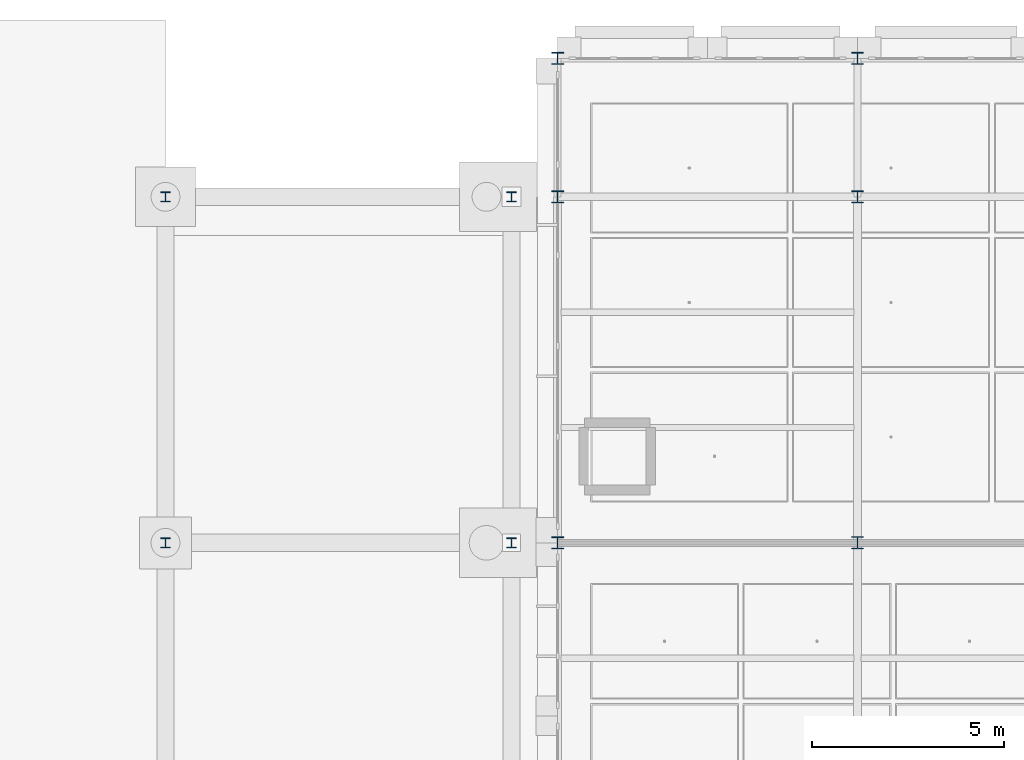
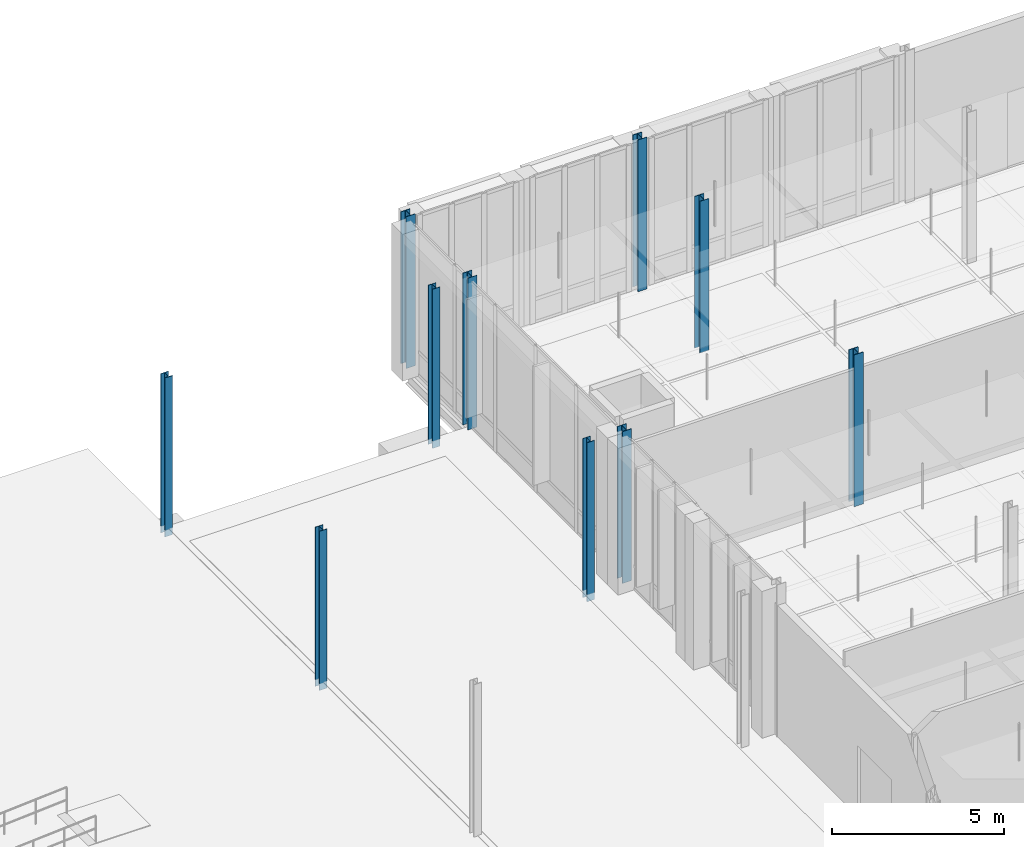
# One storey, part 19 of 180: 10 columns.
"""IFC4 building model written with IfcOpenShell, lengths in metres."""

from ifc_helpers import new_model, si_unit, direction, frame, origin, origin_2d, place, context, subcontext, project, spatial, i_section, extrude, material, material_profile, profile_set, type_object, element, save


model = new_model("IFC4")

# Units and contexts
model_context = context("Model", 3, precision=1e-05, world=origin(), true_north=direction((0.0, 1.0)))
body_context = subcontext(model_context, "Body", "Model", "MODEL_VIEW")
ifc_project = project(units=[si_unit("LENGTHUNIT", "METRE"), si_unit("AREAUNIT", "SQUARE_METRE"), si_unit("VOLUMEUNIT", "CUBIC_METRE"), si_unit("PLANEANGLEUNIT", "RADIAN"), si_unit("MASSUNIT", "GRAM", prefix="KILO"), si_unit("THERMODYNAMICTEMPERATUREUNIT", "KELVIN"), si_unit("POWERUNIT", "WATT")], contexts=[model_context])

# Site, building, storey
site_placement = place(None, origin())
site = spatial("IfcSite", under=ifc_project, at=site_placement, CompositionType="ELEMENT")
building_placement = place(site_placement, origin())
building = spatial("IfcBuilding", under=site, at=building_placement, Name="Tallowbark Science Centre", CompositionType="ELEMENT")
storey_placement = place(building_placement, origin())
storey = spatial("IfcBuildingStorey", under=building, at=storey_placement, Name="L00", CompositionType="ELEMENT", Elevation=0.0)

# Columns
ifc_material = material(Name="Structural Steel Grade 300PLUS (300 MPa)", Category="steel")
ifc_material_profile_1 = material_profile(ifc_material, i_section(OverallWidth=0.256103515625, OverallDepth=0.260009765625, WebThickness=0.010498046875, FlangeThickness=0.017333984375, FilletRadius=0.013916015625, at=origin_2d()), Name="250UC89.5")
ifc_profile_set_1 = profile_set([ifc_material_profile_1], Name="Structural Steel Grade 300PLUS (300 MPa)")
column_type_1 = type_object("IfcColumnType", Name="COL-UC250A", PredefinedType="COLUMN", material=ifc_profile_set_1)
for number, where, z_axis, x_axis, name in (
    (1, (45.0, 99.0, -0.260009765625), (0.0, 0.0, 1.0), (1.0, 0.0, 0.0), "Column PAS-W11 L00"),
    (2, (54.0, 99.0, -0.260009765625), (0.0, 0.0, 1.0), (1.0, 0.0, 0.0), "Column PAS-E11 L00"),
    (3, (45.0, 108.0, -0.260009765625), (0.0, 0.0, 1.0), (1.0, 0.0, 0.0), "Column PAS-W12 L00"),
    (4, (54.0, 108.0, -0.260009765625), (0.0, 0.0, 1.0), (1.0, 0.0, 0.0), "Column PAS-E12 L00"),
):
    element("IfcColumn", number, at=place(storey_placement, frame(where, z_axis=z_axis, x_axis=x_axis)), inside=storey, type_object=column_type_1, Name=name, PredefinedType="COLUMN", context=body_context, shape_type="SweptSolid", body=[
        extrude(i_section(OverallWidth=0.256103515625, OverallDepth=0.260009765625, WebThickness=0.010498046875, FlangeThickness=0.017333984375, FilletRadius=0.013916015625, at=origin_2d()), origin(), (0.0, 0.0, 1.0), 5.659912109375),
    ])
ifc_material_profile_2 = material_profile(ifc_material, i_section(OverallWidth=0.30908203125, OverallDepth=0.320556640625, WebThickness=0.013916015625, FlangeThickness=0.021728515625, FilletRadius=0.0166015625, at=origin_2d()), Name="310UC137")
ifc_profile_set_2 = profile_set([ifc_material_profile_2], Name="Structural Steel Grade 300PLUS (300 MPa)")
column_type_2 = type_object("IfcColumnType", Name="COL-UC310B", PredefinedType="COLUMN", material=ifc_profile_set_2)
column_placement = place(storey_placement, frame((63.0, 99.0, 0.0), z_axis=(0.0, 0.0, 1.0), x_axis=(1.0, 0.0, 0.0)))
element("IfcColumn", 5, at=column_placement, inside=storey, type_object=column_type_2, Name="Column LAB-1_3 L00", PredefinedType="COLUMN", context=body_context, shape_type="SweptSolid", body=[
    extrude(i_section(OverallWidth=0.30908203125, OverallDepth=0.320556640625, WebThickness=0.013916015625, FlangeThickness=0.021728515625, FilletRadius=0.0166015625, at=origin_2d()), origin(), (0.0, 0.0, 1.0), 5.39990234375),
])
ifc_material_profile_3 = material_profile(ifc_material, i_section(OverallWidth=0.307373046875, OverallDepth=0.314697265625, WebThickness=0.011962890625, FlangeThickness=0.018798828125, FilletRadius=0.0166015625, at=origin_2d()), Name="310UC118")
ifc_profile_set_3 = profile_set([ifc_material_profile_3], Name="Structural Steel Grade 300PLUS (300 MPa)")
column_type_3 = type_object("IfcColumnType", Name="COL-UC310C", PredefinedType="COLUMN", material=ifc_profile_set_3)
for number, where, z_axis, x_axis, name in (
    (6, (55.199951171875, 99.0, 0.0), (0.0, 0.0, 1.0), (1.0, 0.0, 0.0), "Column LAB-0_3 L00"),
    (7, (55.199951171875, 108.0, 0.0), (0.0, 0.0, 1.0), (1.0, 0.0, 0.0), "Column LAB-0_4 L00"),
    (8, (55.199951171875, 111.60009765625, 0.0), (0.0, 0.0, 1.0), (1.0, 0.0, 0.0), "Column LAB-0_5 L00"),
    (9, (63.0, 108.0, 0.0), (0.0, 0.0, 1.0), (1.0, 0.0, 0.0), "Column LAB-1_4 L00"),
    (10, (63.0, 111.60009765625, 0.0), (0.0, 0.0, 1.0), (1.0, 0.0, 0.0), "Column LAB-1_5 L00"),
):
    element("IfcColumn", number, at=place(storey_placement, frame(where, z_axis=z_axis, x_axis=x_axis)), inside=storey, type_object=column_type_3, Name=name, PredefinedType="COLUMN", context=body_context, shape_type="SweptSolid", body=[
        extrude(i_section(OverallWidth=0.307373046875, OverallDepth=0.314697265625, WebThickness=0.011962890625, FlangeThickness=0.018798828125, FilletRadius=0.0166015625, at=origin_2d()), origin(), (0.0, 0.0, 1.0), 5.39990234375),
    ])

save(model, "model.ifc")
